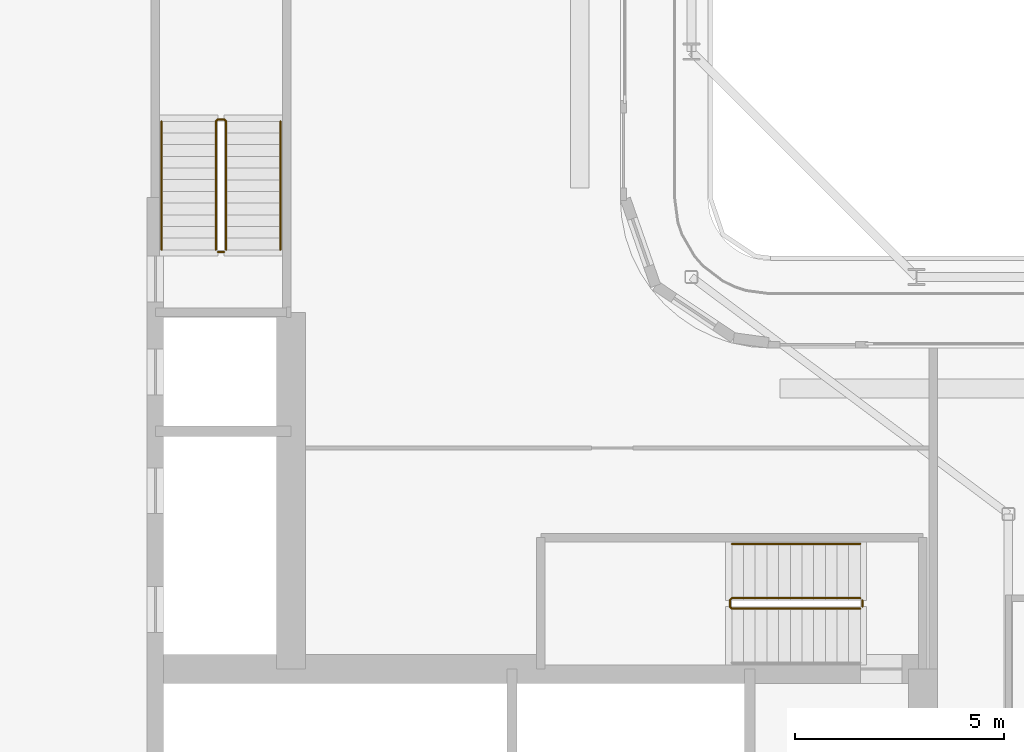
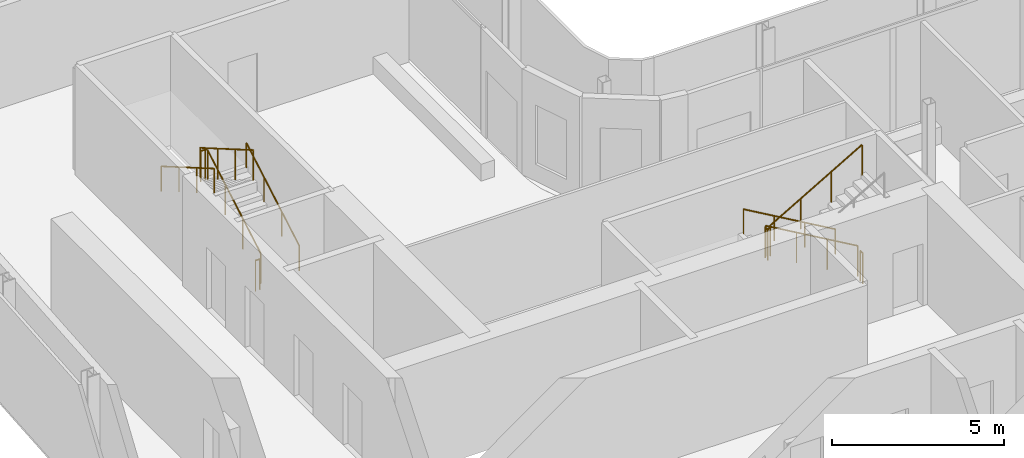
# One storey, part 16 of 21: 7 railings.
"""IFC4 building model written with IfcOpenShell, lengths in metres."""

import ifcopenshell
import ifcopenshell.guid

model = None  # the IFC model being written
_history = None  # IfcOwnerHistory: only IFC2X3 demands one
_inside = {}  # id of a spatial element -> (the spatial element, [elements in it])
_under = {}  # id of a project, library or spatial element -> (it, [spatial elements below it])
_declared = {}  # id of a project -> (the project, [libraries it declares])
_typed = {}  # id of a type object -> (the type object, [elements of that type])
_made_of = {}  # id of a material, layer set ... -> (it, [elements and type objects made of it])


def new_model(schema):
    """Start an empty IFC model of exactly this schema.

    Asked for "IFC4X3", IfcOpenShell would pick the latest addendum, in which some entities
    have other attributes; the version numbers below select the first issue.
    IFC2X3 requires an IfcOwnerHistory on every rooted entity: one is made here for all.
    """
    global model, _history
    if schema == "IFC4X3":
        model = ifcopenshell.file(schema_version=(4, 3, 0, 0))
    else:
        model = ifcopenshell.file(schema=schema)
    _inside.clear()
    _under.clear()
    _declared.clear()
    _typed.clear()
    _made_of.clear()
    _history = None
    if model.schema == "IFC2X3":
        org = make("IfcOrganization", Name="unknown")
        user = make(
            "IfcPersonAndOrganization",
            ThePerson=make("IfcPerson", FamilyName="unknown"),
            TheOrganization=org,
        )
        app = make(
            "IfcApplication",
            ApplicationDeveloper=org,
            Version="unknown",
            ApplicationFullName="unknown",
            ApplicationIdentifier="unknown",
        )
        _history = make(
            "IfcOwnerHistory",
            OwningUser=user,
            OwningApplication=app,
            ChangeAction="ADDED",
            CreationDate=0,
        )
    return model


def make(cls, **values):
    """One entity of the class cls with the attributes given. An attribute that is None is left unset."""
    return model.create_entity(
        cls, **{name: value for name, value in values.items() if value is not None}
    )


def rooted(cls, **values):
    """An entity with a GlobalId (a new one), such as an element, a storey or a relation."""
    return make(cls, GlobalId=ifcopenshell.guid.new(), OwnerHistory=_history, **values)


def si_unit(unit_type, name, prefix=None):
    """IfcSIUnit, for example si_unit("LENGTHUNIT", "METRE", prefix="MILLI")."""
    return make("IfcSIUnit", UnitType=unit_type, Prefix=prefix, Name=name)


def assignment(units):
    """IfcUnitAssignment: the units of a project."""
    return None if units is None else make("IfcUnitAssignment", Units=units)


def point(xyz):
    """IfcCartesianPoint."""
    return None if xyz is None else make("IfcCartesianPoint", Coordinates=xyz)


def direction(xyz):
    """IfcDirection."""
    return None if xyz is None else make("IfcDirection", DirectionRatios=xyz)


def frame(location, z_axis=None, x_axis=None):
    """IfcAxis2Placement3D, a coordinate frame: its origin and axes. An axis left out is left unset."""
    return make(
        "IfcAxis2Placement3D",
        Location=point(location),
        Axis=direction(z_axis),
        RefDirection=direction(x_axis),
    )


def frame_2d(location, x_axis=None):
    """IfcAxis2Placement2D, a coordinate frame in the plane: its origin and x axis."""
    return make(
        "IfcAxis2Placement2D", Location=point(location), RefDirection=direction(x_axis)
    )


def origin():
    """The frame at (0, 0, 0) with its axes left unset."""
    return frame((0.0, 0.0, 0.0))


def origin_2d():
    """The frame at (0, 0) in the plane with its x axis left unset."""
    return frame_2d((0.0, 0.0))


def place(relative_to, where):
    """IfcLocalPlacement: puts the frame where relative to a parent placement (None: the world)."""
    return make(
        "IfcLocalPlacement", PlacementRelTo=relative_to, RelativePlacement=where
    )


def context(
    kind, dimensions, precision=None, world=None, true_north=None, identifier=None
):
    """IfcGeometricRepresentationContext, for example the 3D "Model" context."""
    return make(
        "IfcGeometricRepresentationContext",
        ContextIdentifier=identifier,
        ContextType=kind,
        CoordinateSpaceDimension=dimensions,
        Precision=precision,
        WorldCoordinateSystem=world,
        TrueNorth=true_north,
    )


def subcontext(parent, identifier, kind, view, scale=None):
    """IfcGeometricRepresentationSubContext, for example "Body" below "Model"."""
    return make(
        "IfcGeometricRepresentationSubContext",
        ContextIdentifier=identifier,
        ContextType=kind,
        ParentContext=parent,
        TargetScale=scale,
        TargetView=view,
    )


def project(units=None, contexts=None):
    """IfcProject with its units and contexts."""
    return rooted(
        "IfcProject",
        Name="project",
        RepresentationContexts=contexts,
        UnitsInContext=assignment(units),
    )


def spatial(cls, under=None, at=None, **own):
    """A site, building, storey or space (cls), placed at a placement, below another one or the project."""
    s = rooted(cls, ObjectPlacement=at, **own)
    if under is not None:
        _under.setdefault(under.id(), (under, []))[1].append(s)
    return s


def profile(cls, at=None, kind="AREA", **sizes):
    """A parametric profile (cls). Its sizes go by their IFC names, for example OverallWidth=200.0."""
    return make(cls, ProfileType=kind, Position=at, **sizes)


def circle(**sizes):
    """IfcCircleProfileDef."""
    return profile("IfcCircleProfileDef", **sizes)


def extrude(swept, where, along, depth):
    """IfcExtrudedAreaSolid: the profile swept, set in the frame where, extruded along a direction by depth."""
    return make(
        "IfcExtrudedAreaSolid",
        SweptArea=swept,
        Position=where,
        ExtrudedDirection=direction(along),
        Depth=depth,
    )


def shape(context_of_items, identifier, shape_type, items):
    """IfcShapeRepresentation: the items that make up one representation, for example the "Body"."""
    return make(
        "IfcShapeRepresentation",
        ContextOfItems=context_of_items,
        RepresentationIdentifier=identifier,
        RepresentationType=shape_type,
        Items=items,
    )


def material(Name=None, Category=None):
    """IfcMaterial."""
    return make("IfcMaterial", Name=Name, Category=Category)


def made_of(thing, what):
    """Note that an element or type object is made of a material, layer set ...; save() writes the relation."""
    if what is not None:
        _made_of.setdefault(what.id(), (what, []))[1].append(thing)
    return thing


def type_object(cls, material=None, **own):
    """A type object (cls), such as IfcWallType, which elements share."""
    return made_of(rooted(cls, **own), material)


def element(
    cls,
    number,
    at=None,
    inside=None,
    cuts=None,
    type_object=None,
    material=None,
    context=None,
    identifier="Body",
    shape_type=None,
    held_by="IfcProductDefinitionShape",
    body=None,
    shapes=None,
    **own,
):
    """One element of the class cls, such as IfcWall. Its Tag is "e" and its number.

    at: its placement. inside: the storey or other place that contains it. cuts: it is an
    opening in that element (IfcRelVoidsElement). A single representation is given by context,
    identifier, shape_type and body (its items); several are given by shapes. held_by: the class
    of the entity that holds the representations. save() writes the other relations.
    """
    e = rooted(cls, Tag="e%d" % number, ObjectPlacement=at, **own)
    if body is not None:
        shapes = [shape(context, identifier, shape_type, body)]
    if shapes is not None:
        e.Representation = make(held_by, Representations=shapes)
    if inside is not None:
        _inside.setdefault(inside.id(), (inside, []))[1].append(e)
    if cuts is not None:
        rooted(
            "IfcRelVoidsElement", RelatingBuildingElement=cuts, RelatedOpeningElement=e
        )
    if type_object is not None:
        _typed.setdefault(type_object.id(), (type_object, []))[1].append(e)
    return made_of(e, material)


def aggregate(whole, parts):
    """IfcRelAggregates: a whole, such as a stair, and the parts it consists of."""
    return rooted("IfcRelAggregates", RelatingObject=whole, RelatedObjects=parts)


def save(model, path):
    """Write the relations noted so far, then the file.

    IfcRelAggregates (storeys below a building ...), IfcRelContainedInSpatialStructure (elements
    in a storey), IfcRelDefinesByType, IfcRelAssociatesMaterial and IfcRelDeclares: one each for
    every whole, place, type object, material and project.
    """
    for whole, parts in _under.values():
        aggregate(whole, parts)
    for where, things in _inside.values():
        rooted(
            "IfcRelContainedInSpatialStructure",
            RelatedElements=things,
            RelatingStructure=where,
        )
    for kind, things in _typed.values():
        rooted("IfcRelDefinesByType", RelatedObjects=things, RelatingType=kind)
    for what, things in _made_of.values():
        rooted("IfcRelAssociatesMaterial", RelatedObjects=things, RelatingMaterial=what)
    for by, libraries in _declared.values():
        rooted("IfcRelDeclares", RelatingContext=by, RelatedDefinitions=libraries)
    model.write(path)


model = new_model("IFC4")

# Units and contexts
model_context = context("Model", 3, precision=1e-05, world=origin(), true_north=direction((0.0, 1.0)))
body_context = subcontext(model_context, "Body", "Model", "MODEL_VIEW")
ifc_project = project(units=[si_unit("LENGTHUNIT", "METRE"), si_unit("AREAUNIT", "SQUARE_METRE"), si_unit("VOLUMEUNIT", "CUBIC_METRE"), si_unit("PLANEANGLEUNIT", "RADIAN"), si_unit("MASSUNIT", "GRAM", prefix="KILO")], contexts=[model_context])

# Site, building, storey
site_placement = place(None, origin())
site = spatial("IfcSite", under=ifc_project, at=site_placement, CompositionType="ELEMENT")
building_placement = place(site_placement, origin())
building = spatial("IfcBuilding", under=site, at=building_placement, Name="Kheshtan School and Residences Tower", CompositionType="ELEMENT")
storey_placement = place(building_placement, frame((0.0, 0.0, 231.800048828125)))
storey = spatial("IfcBuildingStorey", under=building, at=storey_placement, Name="L54", CompositionType="ELEMENT", Elevation=231.800048828125)

# Railings
ifc_material_1 = material(Name="Stainless steel balustrade", Category="steel")
railing_type_1 = type_object("IfcRailingType", Name="Stair guard 1100", PredefinedType="GUARDRAIL", material=ifc_material_1)
railing_1_placement = place(storey_placement, frame((51.64990234375, 37.89990234375, 0.162353515625)))
element("IfcRailing", 1, at=railing_1_placement, inside=storey, type_object=railing_type_1, Name="L54 ST1 stair guard 1", PredefinedType="GUARDRAIL", context=body_context, shape_type="SweptSolid", body=[
    extrude(circle(Radius=0.02392578125, at=origin_2d()), frame((0.0, 0.0, 1.076171875), z_axis=(-0.864873446163, 0.0, 0.501989962173), x_axis=(0.0, -1.0, 0.0)), (0.0, 0.0, 1.0), 3.56103515625),
    extrude(circle(Radius=0.02392578125, at=origin_2d()), frame((-3.079833984375, 0.0, 2.86376953125), z_axis=(-0.708833529934, -0.705375805398, 0.0), x_axis=(0.705375805398, -0.708833529934, 0.0)), (0.0, 0.0, 1.0), 0.070556640625),
    extrude(circle(Radius=0.02392578125, at=origin_2d()), frame((-3.1298828125, -0.0498046875, 2.86376953125), z_axis=(0.0, -1.0, 0.0), x_axis=(1.0, 0.0, 0.0)), (0.0, 0.0, 1.0), 0.150146484375),
    extrude(circle(Radius=0.02392578125, at=origin_2d()), frame((-3.1298828125, -0.199951171875, 2.86376953125), z_axis=(0.282227285176, -0.282227285176, 0.916894497205), x_axis=(0.707106781187, 0.707106781187, 0.0)), (0.0, 0.0, 1.0), 0.17724609375),
    extrude(circle(Radius=0.02392578125, at=origin_2d()), frame((-3.079833984375, -0.25, 3.0263671875), z_axis=(0.864903211148, 0.0, 0.501938676878), x_axis=(0.0, 1.0, 0.0)), (0.0, 0.0, 1.0), 3.560791015625),
    extrude(circle(Radius=0.02099609375, at=origin_2d()), origin(), (0.0, 0.0, 1.0), 1.052001953125),
    extrude(circle(Radius=0.02099609375, at=origin_2d()), frame((-1.026611328125, 0.0, 0.595947265625)), (0.0, 0.0, 1.0), 1.052001953125),
    extrude(circle(Radius=0.02099609375, at=origin_2d()), frame((-2.05322265625, 0.0, 1.191650390625)), (0.0, 0.0, 1.0), 1.052001953125),
    extrude(circle(Radius=0.02099609375, at=origin_2d()), frame((-3.079833984375, 0.0, 1.78759765625)), (0.0, 0.0, 1.0), 1.052001953125),
    extrude(circle(Radius=0.02099609375, at=origin_2d()), frame((-3.1298828125, -0.0498046875, 1.78759765625)), (0.0, 0.0, 1.0), 1.052001953125),
    extrude(circle(Radius=0.02099609375, at=origin_2d()), frame((-3.1298828125, -0.199951171875, 1.78759765625)), (0.0, 0.0, 1.0), 1.052001953125),
    extrude(circle(Radius=0.02099609375, at=origin_2d()), frame((-3.079833984375, -0.25, 1.9501953125)), (0.0, 0.0, 1.0), 1.052001953125),
    extrude(circle(Radius=0.02099609375, at=origin_2d()), frame((-2.05322265625, -0.25, 2.5458984375)), (0.0, 0.0, 1.0), 1.052001953125),
    extrude(circle(Radius=0.02099609375, at=origin_2d()), frame((-1.026611328125, -0.25, 3.141845703125)), (0.0, 0.0, 1.0), 1.052001953125),
    extrude(circle(Radius=0.02099609375, at=origin_2d()), frame((0.0, -0.25, 3.737548828125)), (0.0, 0.0, 1.0), 1.052001953125),
])
railing_2_placement = place(storey_placement, frame((51.699951171875, 37.85009765625, 0.0)))
element("IfcRailing", 2, at=railing_2_placement, inside=storey, type_object=railing_type_1, Name="L54 ST1 stair guard 2", PredefinedType="GUARDRAIL", context=body_context, shape_type="SweptSolid", body=[
    extrude(circle(Radius=0.02392578125, at=origin_2d()), frame((0.0, 0.0, 1.076171875), z_axis=(0.0, -1.0, 0.0), x_axis=(1.0, 0.0, 0.0)), (0.0, 0.0, 1.0), 0.150146484375),
    extrude(circle(Radius=0.02099609375, at=origin_2d()), origin(), (0.0, 0.0, 1.0), 1.052001953125),
    extrude(circle(Radius=0.02099609375, at=origin_2d()), frame((0.0, -0.150146484375, 0.0)), (0.0, 0.0, 1.0), 1.052001953125),
])
railing_3_placement = place(storey_placement, frame((36.449951171875, 46.25, 0.162353515625)))
element("IfcRailing", 3, at=railing_3_placement, inside=storey, type_object=railing_type_1, Name="L54 ST2 stair guard 1", PredefinedType="GUARDRAIL", context=body_context, shape_type="SweptSolid", body=[
    extrude(circle(Radius=0.02392578125, at=origin_2d()), frame((0.0, 0.0, 1.076171875), z_axis=(0.0, 0.864890721111, 0.501960198159), x_axis=(-1.0, 0.0, 0.0)), (0.0, 0.0, 1.0), 3.561279296875),
    extrude(circle(Radius=0.02392578125, at=origin_2d()), frame((0.0, 3.080078125, 2.86376953125), z_axis=(-0.708833529934, 0.705375805398, 0.0), x_axis=(-0.705375805398, -0.708833529934, 0.0)), (0.0, 0.0, 1.0), 0.070556640625),
    extrude(circle(Radius=0.02392578125, at=origin_2d()), frame((-0.050048828125, 3.1298828125, 2.86376953125), z_axis=(-1.0, 0.0, 0.0), x_axis=(0.0, -1.0, 0.0)), (0.0, 0.0, 1.0), 0.14990234375),
    extrude(circle(Radius=0.02392578125, at=origin_2d()), frame((-0.199951171875, 3.1298828125, 2.86376953125), z_axis=(-0.282336740067, -0.280959487676, 0.917250092119), x_axis=(0.705375805398, -0.708833529934, 0.0)), (0.0, 0.0, 1.0), 0.17724609375),
    extrude(circle(Radius=0.02392578125, at=origin_2d()), frame((-0.25, 3.080078125, 3.0263671875), z_axis=(0.0, -0.864920483161, 0.501908913857), x_axis=(1.0, 0.0, 0.0)), (0.0, 0.0, 1.0), 3.56103515625),
    extrude(circle(Radius=0.02099609375, at=origin_2d()), origin(), (0.0, 0.0, 1.0), 1.052001953125),
    extrude(circle(Radius=0.02099609375, at=origin_2d()), frame((0.0, 1.026611328125, 0.595947265625)), (0.0, 0.0, 1.0), 1.052001953125),
    extrude(circle(Radius=0.02099609375, at=origin_2d()), frame((0.0, 2.053466796875, 1.191650390625)), (0.0, 0.0, 1.0), 1.052001953125),
    extrude(circle(Radius=0.02099609375, at=origin_2d()), frame((0.0, 3.080078125, 1.78759765625)), (0.0, 0.0, 1.0), 1.052001953125),
    extrude(circle(Radius=0.02099609375, at=origin_2d()), frame((-0.050048828125, 3.1298828125, 1.78759765625)), (0.0, 0.0, 1.0), 1.052001953125),
    extrude(circle(Radius=0.02099609375, at=origin_2d()), frame((-0.199951171875, 3.1298828125, 1.78759765625)), (0.0, 0.0, 1.0), 1.052001953125),
    extrude(circle(Radius=0.02099609375, at=origin_2d()), frame((-0.25, 3.080078125, 1.9501953125)), (0.0, 0.0, 1.0), 1.052001953125),
    extrude(circle(Radius=0.02099609375, at=origin_2d()), frame((-0.25, 2.053466796875, 2.5458984375)), (0.0, 0.0, 1.0), 1.052001953125),
    extrude(circle(Radius=0.02099609375, at=origin_2d()), frame((-0.25, 1.026611328125, 3.141845703125)), (0.0, 0.0, 1.0), 1.052001953125),
    extrude(circle(Radius=0.02099609375, at=origin_2d()), frame((-0.25, 0.0, 3.737548828125)), (0.0, 0.0, 1.0), 1.052001953125),
])
railing_4_placement = place(storey_placement, frame((36.39990234375, 46.199951171875, 0.0)))
element("IfcRailing", 4, at=railing_4_placement, inside=storey, type_object=railing_type_1, Name="L54 ST2 stair guard 2", PredefinedType="GUARDRAIL", context=body_context, shape_type="SweptSolid", body=[
    extrude(circle(Radius=0.02392578125, at=origin_2d()), frame((0.0, 0.0, 1.076171875), z_axis=(-1.0, 0.0, 0.0), x_axis=(0.0, -1.0, 0.0)), (0.0, 0.0, 1.0), 0.14990234375),
    extrude(circle(Radius=0.02099609375, at=origin_2d()), origin(), (0.0, 0.0, 1.0), 1.052001953125),
    extrude(circle(Radius=0.02099609375, at=origin_2d()), frame((-0.14990234375, 0.0, 0.0)), (0.0, 0.0, 1.0), 1.052001953125),
])
ifc_material_2 = material(Name="Stainless steel handrail", Category="steel")
railing_type_2 = type_object("IfcRailingType", Name="Stair handrail 900", PredefinedType="HANDRAIL", material=ifc_material_2)
railing_5_placement = place(storey_placement, frame((51.64990234375, 39.199951171875, 0.162353515625)))
element("IfcRailing", 5, at=railing_5_placement, inside=storey, type_object=railing_type_2, Name="L54 ST1 stair handrail 1", PredefinedType="HANDRAIL", context=body_context, shape_type="SweptSolid", body=[
    extrude(circle(Radius=0.02392578125, at=origin_2d()), frame((0.0, 0.0, 0.8759765625), z_axis=(-0.864873446163, 0.0, 0.501989962173), x_axis=(0.0, -1.0, 0.0)), (0.0, 0.0, 1.0), 3.56103515625),
    extrude(circle(Radius=0.02099609375, at=origin_2d()), origin(), (0.0, 0.0, 1.0), 0.851806640625),
    extrude(circle(Radius=0.02099609375, at=origin_2d()), frame((-1.026611328125, 0.0, 0.595947265625)), (0.0, 0.0, 1.0), 0.851806640625),
    extrude(circle(Radius=0.02099609375, at=origin_2d()), frame((-2.05322265625, 0.0, 1.191650390625)), (0.0, 0.0, 1.0), 0.851806640625),
    extrude(circle(Radius=0.02099609375, at=origin_2d()), frame((-3.079833984375, 0.0, 1.78759765625)), (0.0, 0.0, 1.0), 0.851806640625),
])
railing_6_placement = place(storey_placement, frame((37.75, 46.25, 0.162353515625)))
element("IfcRailing", 6, at=railing_6_placement, inside=storey, type_object=railing_type_2, Name="L54 ST2 stair handrail 1", PredefinedType="HANDRAIL", context=body_context, shape_type="SweptSolid", body=[
    extrude(circle(Radius=0.02392578125, at=origin_2d()), frame((0.0, 0.0, 0.8759765625), z_axis=(0.0, 0.864890721111, 0.501960198159), x_axis=(-1.0, 0.0, 0.0)), (0.0, 0.0, 1.0), 3.561279296875),
    extrude(circle(Radius=0.02099609375, at=origin_2d()), origin(), (0.0, 0.0, 1.0), 0.851806640625),
    extrude(circle(Radius=0.02099609375, at=origin_2d()), frame((0.0, 1.026611328125, 0.595947265625)), (0.0, 0.0, 1.0), 0.851806640625),
    extrude(circle(Radius=0.02099609375, at=origin_2d()), frame((0.0, 2.053466796875, 1.191650390625)), (0.0, 0.0, 1.0), 0.851806640625),
    extrude(circle(Radius=0.02099609375, at=origin_2d()), frame((0.0, 3.080078125, 1.78759765625)), (0.0, 0.0, 1.0), 0.851806640625),
])
railing_7_placement = place(storey_placement, frame((34.89990234375, 49.330078125, 2.112548828125)))
element("IfcRailing", 7, at=railing_7_placement, inside=storey, type_object=railing_type_2, Name="L54 ST2 stair handrail 2", PredefinedType="HANDRAIL", context=body_context, shape_type="SweptSolid", body=[
    extrude(circle(Radius=0.02392578125, at=origin_2d()), frame((0.0, 0.0, 0.8759765625), z_axis=(0.0, -0.864920483161, 0.501908913857), x_axis=(1.0, 0.0, 0.0)), (0.0, 0.0, 1.0), 3.56103515625),
    extrude(circle(Radius=0.02099609375, at=origin_2d()), origin(), (0.0, 0.0, 1.0), 0.851806640625),
    extrude(circle(Radius=0.02099609375, at=origin_2d()), frame((0.0, -1.026611328125, 0.595703125)), (0.0, 0.0, 1.0), 0.851806640625),
    extrude(circle(Radius=0.02099609375, at=origin_2d()), frame((0.0, -2.053466796875, 1.191650390625)), (0.0, 0.0, 1.0), 0.851806640625),
    extrude(circle(Radius=0.02099609375, at=origin_2d()), frame((0.0, -3.080078125, 1.787353515625)), (0.0, 0.0, 1.0), 0.851806640625),
])

save(model, "model.ifc")
